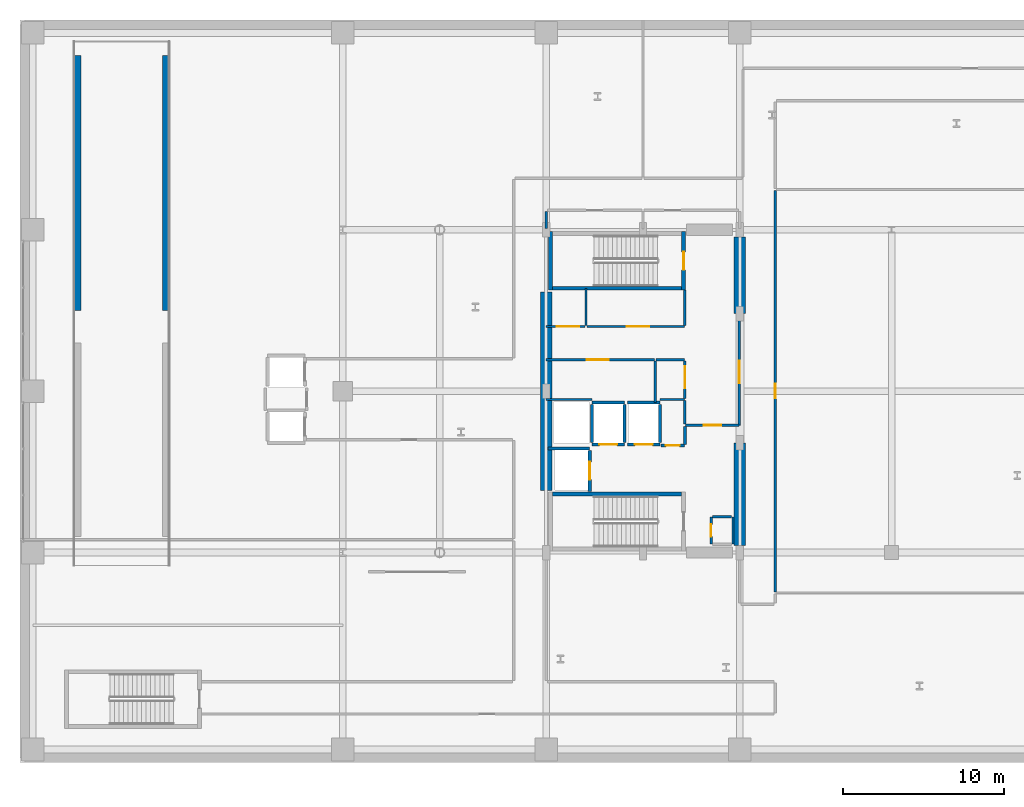
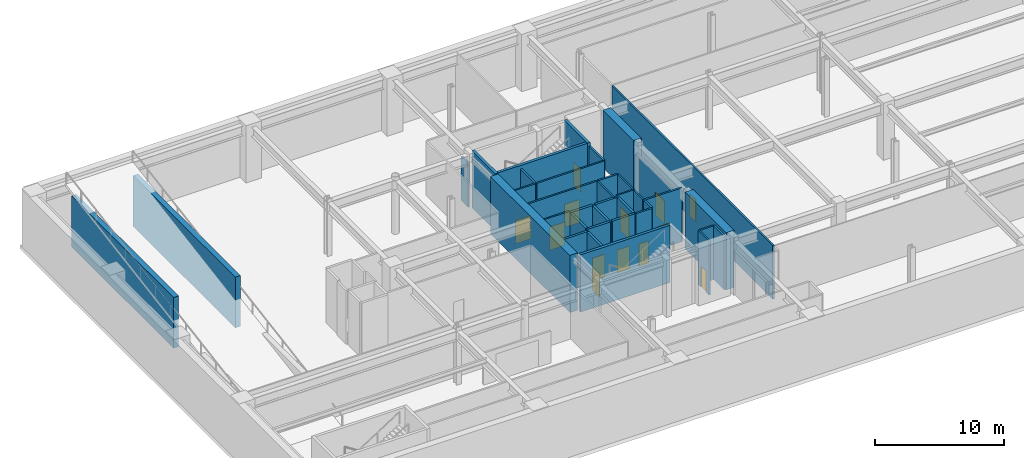
# One storey, part 17 of 25: 38 walls, 13 doors, 13 openings.
"""IFC4 building model written with IfcOpenShell, lengths in metres."""

from ifc_helpers import new_model, si_unit, direction, frame, frame_2d, origin, place, context, subcontext, project, spatial, rectangle, extrude, material, layer, layer_set, type_object, element, fill, save


model = new_model("IFC4")

# Units and contexts
model_context = context("Model", 3, precision=1e-05, world=origin(), true_north=direction((0.0, 1.0)))
body_context = subcontext(model_context, "Body", "Model", "MODEL_VIEW")
ifc_project = project(units=[si_unit("LENGTHUNIT", "METRE"), si_unit("AREAUNIT", "SQUARE_METRE"), si_unit("VOLUMEUNIT", "CUBIC_METRE"), si_unit("PLANEANGLEUNIT", "RADIAN"), si_unit("MASSUNIT", "GRAM", prefix="KILO")], contexts=[model_context])

# Site, building, storey
site_placement = place(None, origin())
site = spatial("IfcSite", under=ifc_project, at=site_placement, CompositionType="ELEMENT")
building_placement = place(site_placement, origin())
building = spatial("IfcBuilding", under=site, at=building_placement, Name="Soratama Intermodal Tower", CompositionType="ELEMENT")
storey_placement = place(building_placement, frame((0.0, 0.0, -5.39990234375)))
storey = spatial("IfcBuildingStorey", under=building, at=storey_placement, Name="B1", CompositionType="ELEMENT", Elevation=-5.39990234375)

# Walls
ifc_material_1 = material(Name="Fire-rated gypsum stud partition", Category="concrete")
ifc_layer_1 = layer(ifc_material_1, 0.14990234375)
ifc_layer_set_1 = layer_set([ifc_layer_1], Name="Fire-rated gypsum stud partition")
wall_type_1 = type_object("IfcWallType", Name="IW-PART-R150", PredefinedType="PARTITIONING", material=ifc_layer_set_1)
wall_1_placement = place(storey_placement, frame((42.89990234375, 17.219970703125, 0.0), z_axis=(0.0, 0.0, 1.0), x_axis=(1.0, 0.0, 0.0)))
element("IfcWall", 1, at=wall_1_placement, inside=storey, type_object=wall_type_1, Name="B1 Riser Wall N", PredefinedType="PARTITIONING", context=body_context, shape_type="SweptSolid", body=[
    extrude(rectangle(XDim=1.2001953125, YDim=0.14990234375, at=frame_2d((0.60009765625, 0.0))), origin(), (0.0, 0.0, 1.0), 5.079833984375),
])
wall_2_placement = place(storey_placement, frame((44.179931640625, 15.52001953125, 0.0), z_axis=(0.0, 0.0, 1.0), x_axis=(0.0, 1.0, 0.0)))
element("IfcWall", 2, at=wall_2_placement, inside=storey, type_object=wall_type_1, Name="B1 Riser Wall E", PredefinedType="PARTITIONING", context=body_context, shape_type="SweptSolid", body=[
    extrude(rectangle(XDim=1.699951171875, YDim=0.14990234375, at=frame_2d((0.85009765625, 0.0))), origin(), (0.0, 0.0, 1.0), 5.079833984375),
])

# Wall, opening, door
wall_3_placement = place(storey_placement, frame((42.820068359375, 15.52001953125, 0.0), z_axis=(0.0, 0.0, 1.0), x_axis=(0.0, 1.0, 0.0)))
wall_3 = element("IfcWall", 3, at=wall_3_placement, inside=storey, type_object=wall_type_1, Name="B1 Riser Front Wall", PredefinedType="PARTITIONING", context=body_context, shape_type="SweptSolid", body=[
    extrude(rectangle(XDim=1.699951171875, YDim=0.14990234375, at=frame_2d((0.85009765625, 0.0))), origin(), (0.0, 0.0, 1.0), 5.079833984375),
])
opening_1_placement = place(wall_3_placement, frame((0.469970703125, 0.0, 0.0)))
opening_1 = element("IfcOpeningElement", 4, at=opening_1_placement, cuts=wall_3, Name="Opening TD-1", PredefinedType="OPENING", context=body_context, shape_type="SweptSolid", body=[
    extrude(rectangle(XDim=0.760009765625, YDim=2.0, at=frame_2d((0.3798828125, 1.0))), frame((0.0, 0.0849609375, 0.0), z_axis=(0.0, -1.0, 0.0), x_axis=(1.0, 0.0, 0.0)), (0.0, 0.0, 1.0), 0.169921875),
])
ifc_material_2 = material(Name="Steel fire door", Category="steel")
door_type_1 = type_object("IfcDoorType", Name="DR-RISER-TRAP", OperationType="NOTDEFINED", PredefinedType="TRAPDOOR", material=ifc_material_2)
door_1_placement = place(opening_1_placement, origin())
door_1 = element("IfcDoor", 5, at=door_1_placement, inside=storey, type_object=door_type_1, Name="B1 Riser Inspection Door", OperationType="SINGLE_SWING_LEFT", OverallHeight=2.0, OverallWidth=0.760009765625, PredefinedType="TRAPDOOR", context=body_context, shape_type="SweptSolid", body=[
    extrude(rectangle(XDim=0.760009765625, YDim=2.0, at=frame_2d((0.3798828125, 1.0))), frame((0.0, 0.02490234375, 0.0), z_axis=(0.0, -1.0, 0.0), x_axis=(1.0, 0.0, 0.0)), (0.0, 0.0, 1.0), 0.050048828125),
])
fill(opening_1, door_1)

wall_4_placement = place(storey_placement, frame((46.800048828125, 37.429931640625, 0.0), z_axis=(0.0, 0.0, 1.0), x_axis=(0.0, -1.0, 0.0)))
wall_4 = element("IfcWall", 6, at=wall_4_placement, inside=storey, type_object=wall_type_1, Name="B1 Partition W-B1-TP007", PredefinedType="PARTITIONING", context=body_context, shape_type="SweptSolid", body=[
    extrude(rectangle(XDim=24.85986328125, YDim=0.14990234375, at=frame_2d((12.429931640625, 0.0))), origin(), (0.0, 0.0, 1.0), 5.079833984375),
])
opening_2_placement = place(wall_4_placement, frame((11.955078125, 0.0, 0.0)))
opening_2 = element("IfcOpeningElement", 7, at=opening_2_placement, cuts=wall_4, Name="Opening ID-6", PredefinedType="OPENING", context=body_context, shape_type="SweptSolid", body=[
    extrude(rectangle(XDim=0.919921875, YDim=2.1201171875, at=frame_2d((0.4599609375, 1.06005859375))), frame((0.0, 0.0849609375, 0.0), z_axis=(0.0, -1.0, 0.0), x_axis=(1.0, 0.0, 0.0)), (0.0, 0.0, 1.0), 0.169921875),
])
ifc_material_3 = material(Name="Solid hardwood acoustic door", Category="wood")
door_type_2 = type_object("IfcDoorType", Name="DR-ROOM-920", OperationType="NOTDEFINED", PredefinedType="DOOR", material=ifc_material_3)
door_2_placement = place(opening_2_placement, origin())
door_2 = element("IfcDoor", 8, at=door_2_placement, inside=storey, type_object=door_type_2, Name="B1 Door D-B1-TP003", OperationType="SINGLE_SWING_RIGHT", OverallHeight=2.1201171875, OverallWidth=0.919921875, PredefinedType="DOOR", context=body_context, shape_type="SweptSolid", body=[
    extrude(rectangle(XDim=0.919921875, YDim=2.1201171875, at=frame_2d((0.4599609375, 1.06005859375))), frame((0.0, 0.02490234375, 0.0), z_axis=(0.0, -1.0, 0.0), x_axis=(1.0, 0.0, 0.0)), (0.0, 0.0, 1.0), 0.050048828125),
])
fill(opening_2, door_2)

wall_5_placement = place(storey_placement, frame((44.56005859375, 29.800048828125, 0.0), z_axis=(0.0, 0.0, 1.0), x_axis=(0.0, -1.0, 0.0)))
wall_5 = element("IfcWall", 9, at=wall_5_placement, inside=storey, type_object=wall_type_1, Name="B1 Partition W-B1-TP017", PredefinedType="PARTITIONING", context=body_context, shape_type="SweptSolid", body=[
    extrude(rectangle(XDim=6.91015625, YDim=0.14990234375, at=frame_2d((3.455078125, 0.0))), origin(), (0.0, 0.0, 1.0), 4.119873046875),
])
opening_3_placement = place(wall_5_placement, frame((2.9150390625, 0.0, 0.0)))
opening_3 = element("IfcOpeningElement", 10, at=opening_3_placement, cuts=wall_5, Name="Opening ID-2", PredefinedType="OPENING", context=body_context, shape_type="SweptSolid", body=[
    extrude(rectangle(XDim=1.3798828125, YDim=2.199951171875, at=frame_2d((0.68994140625, 1.10009765625))), frame((0.0, 0.0849609375, 0.0), z_axis=(0.0, -1.0, 0.0), x_axis=(1.0, 0.0, 0.0)), (0.0, 0.0, 1.0), 0.169921875),
])
ifc_material_4 = material(Name="Solid hardwood acoustic door", Category="wood")
door_type_3 = type_object("IfcDoorType", Name="DR-POD-1400", OperationType="NOTDEFINED", PredefinedType="DOOR", material=ifc_material_4)
door_3_placement = place(opening_3_placement, origin())
door_3 = element("IfcDoor", 11, at=door_3_placement, inside=storey, type_object=door_type_3, Name="B1 Door D-B1-TP005", OperationType="SINGLE_SWING_RIGHT", OverallHeight=2.199951171875, OverallWidth=1.3798828125, PredefinedType="DOOR", context=body_context, shape_type="SweptSolid", body=[
    extrude(rectangle(XDim=1.3798828125, YDim=2.199951171875, at=frame_2d((0.68994140625, 1.10009765625))), frame((0.0, 0.02490234375, 0.0), z_axis=(0.0, -1.0, 0.0), x_axis=(1.0, 0.0, 0.0)), (0.0, 0.0, 1.0), 0.050048828125),
])
fill(opening_3, door_3)

wall_6_placement = place(storey_placement, frame((39.300048828125, 26.93994140625, 0.0), z_axis=(0.0, 0.0, 1.0), x_axis=(-1.0, 0.0, 0.0)))
wall_6 = element("IfcWall", 12, at=wall_6_placement, inside=storey, type_object=wall_type_1, Name="B1 Partition W-B1-TP018", PredefinedType="PARTITIONING", context=body_context, shape_type="SweptSolid", body=[
    extrude(rectangle(XDim=6.699951171875, YDim=0.14990234375, at=frame_2d((3.35009765625, 0.0))), origin(), (0.0, 0.0, 1.0), 5.079833984375),
])
opening_4_placement = place(wall_6_placement, frame((2.81005859375, 0.0, 0.0)))
opening_4 = element("IfcOpeningElement", 13, at=opening_4_placement, cuts=wall_6, Name="Opening ID-2", PredefinedType="OPENING", context=body_context, shape_type="SweptSolid", body=[
    extrude(rectangle(XDim=1.3798828125, YDim=2.199951171875, at=frame_2d((0.68994140625, 1.10009765625))), frame((0.0, 0.0849609375, 0.0), z_axis=(0.0, -1.0, 0.0), x_axis=(1.0, 0.0, 0.0)), (0.0, 0.0, 1.0), 0.169921875),
])
door_4_placement = place(opening_4_placement, origin())
door_4 = element("IfcDoor", 14, at=door_4_placement, inside=storey, type_object=door_type_3, Name="B1 Door D-B1-TP006", OperationType="SINGLE_SWING_LEFT", OverallHeight=2.199951171875, OverallWidth=1.3798828125, PredefinedType="DOOR", context=body_context, shape_type="SweptSolid", body=[
    extrude(rectangle(XDim=1.3798828125, YDim=2.199951171875, at=frame_2d((0.68994140625, 1.10009765625))), frame((0.0, 0.02490234375, 0.0), z_axis=(0.0, -1.0, 0.0), x_axis=(1.0, 0.0, 0.0)), (0.0, 0.0, 1.0), 0.050048828125),
])
fill(opening_4, door_4)

wall_7_placement = place(storey_placement, frame((35.1201171875, 29.010009765625, 0.0), z_axis=(0.0, 0.0, 1.0), x_axis=(1.0, 0.0, 0.0)))
wall_7 = element("IfcWall", 15, at=wall_7_placement, inside=storey, type_object=wall_type_1, Name="B1 Partition W-B1-TP022", PredefinedType="PARTITIONING", context=body_context, shape_type="SweptSolid", body=[
    extrude(rectangle(XDim=6.039794921875, YDim=0.14990234375, at=frame_2d((3.02001953125, 0.0))), origin(), (0.0, 0.0, 1.0), 5.079833984375),
])
opening_5_placement = place(wall_7_placement, frame((2.47998046875, 0.0, 0.0)))
opening_5 = element("IfcOpeningElement", 16, at=opening_5_placement, cuts=wall_7, Name="Opening ID-2", PredefinedType="OPENING", context=body_context, shape_type="SweptSolid", body=[
    extrude(rectangle(XDim=1.3798828125, YDim=2.199951171875, at=frame_2d((0.68994140625, 1.10009765625))), frame((0.0, 0.0849609375, 0.0), z_axis=(0.0, -1.0, 0.0), x_axis=(1.0, 0.0, 0.0)), (0.0, 0.0, 1.0), 0.169921875),
])
door_5_placement = place(opening_5_placement, origin())
door_5 = element("IfcDoor", 17, at=door_5_placement, inside=storey, type_object=door_type_3, Name="B1 Door D-B1-TP007", OperationType="SINGLE_SWING_RIGHT", OverallHeight=2.199951171875, OverallWidth=1.3798828125, PredefinedType="DOOR", context=body_context, shape_type="SweptSolid", body=[
    extrude(rectangle(XDim=1.3798828125, YDim=2.199951171875, at=frame_2d((0.68994140625, 1.10009765625))), frame((0.0, 0.02490234375, 0.0), z_axis=(0.0, -1.0, 0.0), x_axis=(1.0, 0.0, 0.0)), (0.0, 0.0, 1.0), 0.050048828125),
])
fill(opening_5, door_5)

# Walls
wall_8_placement = place(storey_placement, frame((35.449951171875, 24.485107421875, 0.0), z_axis=(0.0, 0.0, 1.0), x_axis=(-1.0, 0.0, 0.0)))
element("IfcWall", 18, at=wall_8_placement, inside=storey, type_object=wall_type_1, Name="B1 Partition W-B1-TP028", PredefinedType="PARTITIONING", context=body_context, shape_type="SweptSolid", body=[
    extrude(rectangle(XDim=2.849853515625, YDim=0.14990234375, at=frame_2d((1.4248046875, 0.0))), origin(), (0.0, 0.0, 1.0), 5.079833984375),
])
wall_9_placement = place(storey_placement, frame((39.360107421875, 24.300048828125, 0.0), z_axis=(0.0, 0.0, 1.0), x_axis=(0.0, 1.0, 0.0)))
element("IfcWall", 19, at=wall_9_placement, inside=storey, type_object=wall_type_1, Name="B1 Partition W-B1-TP029", PredefinedType="PARTITIONING", context=body_context, shape_type="SweptSolid", body=[
    extrude(rectangle(XDim=2.579833984375, YDim=0.14990234375, at=frame_2d((1.2900390625, 0.0))), origin(), (0.0, 0.0, 1.0), 5.079833984375),
])

# Wall, opening, door
wall_10_placement = place(storey_placement, frame((32.60009765625, 29.010009765625, 0.0), z_axis=(0.0, 0.0, 1.0), x_axis=(1.0, 0.0, 0.0)))
wall_10 = element("IfcWall", 20, at=wall_10_placement, inside=storey, type_object=wall_type_1, Name="B1 Partition W-B1-TP030", PredefinedType="PARTITIONING", context=body_context, shape_type="SweptSolid", body=[
    extrude(rectangle(XDim=2.419921875, YDim=0.14990234375, at=frame_2d((1.2099609375, 0.0))), origin(), (0.0, 0.0, 1.0), 5.079833984375),
])
opening_6_placement = place(wall_10_placement, frame((0.669921875, 0.0, 0.0)))
opening_6 = element("IfcOpeningElement", 21, at=opening_6_placement, cuts=wall_10, Name="Opening ID-2", PredefinedType="OPENING", context=body_context, shape_type="SweptSolid", body=[
    extrude(rectangle(XDim=1.3798828125, YDim=2.199951171875, at=frame_2d((0.68994140625, 1.10009765625))), frame((0.0, 0.0849609375, 0.0), z_axis=(0.0, -1.0, 0.0), x_axis=(1.0, 0.0, 0.0)), (0.0, 0.0, 1.0), 0.169921875),
])
door_6_placement = place(opening_6_placement, origin())
door_6 = element("IfcDoor", 22, at=door_6_placement, inside=storey, type_object=door_type_3, Name="B1 Door D-B1-TP011", OperationType="SINGLE_SWING_RIGHT", OverallHeight=2.199951171875, OverallWidth=1.3798828125, PredefinedType="DOOR", context=body_context, shape_type="SweptSolid", body=[
    extrude(rectangle(XDim=1.3798828125, YDim=2.199951171875, at=frame_2d((0.68994140625, 1.10009765625))), frame((0.0, 0.02490234375, 0.0), z_axis=(0.0, -1.0, 0.0), x_axis=(1.0, 0.0, 0.0)), (0.0, 0.0, 1.0), 0.050048828125),
])
fill(opening_6, door_6)

wall_11_placement = place(storey_placement, frame((41.199951171875, 24.550048828125, 0.0), z_axis=(0.0, 0.0, 1.0), x_axis=(0.0, 1.0, 0.0)))
wall_11 = element("IfcWall", 23, at=wall_11_placement, inside=storey, type_object=wall_type_1, Name="B1 Partition W-B1-TP031", PredefinedType="PARTITIONING", context=body_context, shape_type="SweptSolid", body=[
    extrude(rectangle(XDim=2.329833984375, YDim=0.14990234375, at=frame_2d((1.1650390625, 0.0))), origin(), (0.0, 0.0, 1.0), 5.079833984375),
])
opening_7_placement = place(wall_11_placement, frame((0.625, 0.0, 0.0)))
opening_7 = element("IfcOpeningElement", 24, at=opening_7_placement, cuts=wall_11, Name="Opening ID-2", PredefinedType="OPENING", context=body_context, shape_type="SweptSolid", body=[
    extrude(rectangle(XDim=1.3798828125, YDim=2.199951171875, at=frame_2d((0.68994140625, 1.10009765625))), frame((0.0, 0.0849609375, 0.0), z_axis=(0.0, -1.0, 0.0), x_axis=(1.0, 0.0, 0.0)), (0.0, 0.0, 1.0), 0.169921875),
])
door_7_placement = place(opening_7_placement, origin())
door_7 = element("IfcDoor", 25, at=door_7_placement, inside=storey, type_object=door_type_3, Name="B1 Door D-B1-TP012", OperationType="SINGLE_SWING_LEFT", OverallHeight=2.199951171875, OverallWidth=1.3798828125, PredefinedType="DOOR", context=body_context, shape_type="SweptSolid", body=[
    extrude(rectangle(XDim=1.3798828125, YDim=2.199951171875, at=frame_2d((0.68994140625, 1.10009765625))), frame((0.0, 0.02490234375, 0.0), z_axis=(0.0, -1.0, 0.0), x_axis=(1.0, 0.0, 0.0)), (0.0, 0.0, 1.0), 0.050048828125),
])
fill(opening_7, door_7)

# Walls
wall_12_placement = place(storey_placement, frame((35.070068359375, 29.070068359375, 0.0), z_axis=(0.0, 0.0, 1.0), x_axis=(0.0, 1.0, 0.0)))
element("IfcWall", 26, at=wall_12_placement, inside=storey, type_object=wall_type_1, Name="B1 Partition W-B1-TP032", PredefinedType="PARTITIONING", context=body_context, shape_type="SweptSolid", body=[
    extrude(rectangle(XDim=2.2900390625, YDim=0.14990234375, at=frame_2d((1.14501953125, 0.0))), origin(), (0.0, 0.0, 1.0), 5.079833984375),
])
wall_13_placement = place(storey_placement, frame((41.199951171875, 29.070068359375, 0.0), z_axis=(0.0, 0.0, 1.0), x_axis=(0.0, 1.0, 0.0)))
element("IfcWall", 27, at=wall_13_placement, inside=storey, type_object=wall_type_1, Name="B1 Partition W-B1-TP033", PredefinedType="PARTITIONING", context=body_context, shape_type="SweptSolid", body=[
    extrude(rectangle(XDim=2.18994140625, YDim=0.14990234375, at=frame_2d((1.094970703125, 0.0))), origin(), (0.0, 0.0, 1.0), 5.079833984375),
])
wall_14_placement = place(storey_placement, frame((41.159912109375, 26.93994140625, 0.0), z_axis=(0.0, 0.0, 1.0), x_axis=(-1.0, 0.0, 0.0)))
element("IfcWall", 28, at=wall_14_placement, inside=storey, type_object=wall_type_1, Name="B1 Partition W-B1-TP036", PredefinedType="PARTITIONING", context=body_context, shape_type="SweptSolid", body=[
    extrude(rectangle(XDim=1.739990234375, YDim=0.14990234375, at=frame_2d((0.8701171875, 0.0))), origin(), (0.0, 0.0, 1.0), 5.079833984375),
])
wall_15_placement = place(storey_placement, frame((39.64990234375, 24.485107421875, 0.0), z_axis=(0.0, 0.0, 1.0), x_axis=(1.0, 0.0, 0.0)))
element("IfcWall", 29, at=wall_15_placement, inside=storey, type_object=wall_type_1, Name="B1 Partition W-B1-TP037", PredefinedType="PARTITIONING", context=body_context, shape_type="SweptSolid", body=[
    extrude(rectangle(XDim=1.510009765625, YDim=0.14990234375, at=frame_2d((0.7548828125, 0.0))), origin(), (0.0, 0.0, 1.0), 5.079833984375),
])
wall_16_placement = place(storey_placement, frame((41.199951171875, 22.9599609375, 0.0), z_axis=(0.0, 0.0, 1.0), x_axis=(0.0, 1.0, 0.0)))
element("IfcWall", 30, at=wall_16_placement, inside=storey, type_object=wall_type_1, Name="B1 Partition W-B1-TP038", PredefinedType="PARTITIONING", context=body_context, shape_type="SweptSolid", body=[
    extrude(rectangle(XDim=1.4599609375, YDim=0.14990234375, at=frame_2d((0.72998046875, 0.0))), origin(), (0.0, 0.0, 1.0), 5.079833984375),
])
wall_17_placement = place(storey_placement, frame((32.60009765625, 36.1298828125, 0.0), z_axis=(0.0, 0.0, 1.0), x_axis=(0.0, -1.0, 0.0)))
element("IfcWall", 31, at=wall_17_placement, inside=storey, type_object=wall_type_1, Name="B1 Partition W-B1-TP043", PredefinedType="PARTITIONING", context=body_context, shape_type="SweptSolid", body=[
    extrude(rectangle(XDim=1.059814453125, YDim=0.14990234375, at=frame_2d((0.52978515625, 0.0))), origin(), (0.0, 0.0, 1.0), 4.201904296875),
])

# Wall, opening, door
ifc_material_5 = material(Name="Fire-rated gypsum stud partition", Category="concrete")
ifc_layer_2 = layer(ifc_material_5, 0.169921875)
ifc_layer_set_2 = layer_set([ifc_layer_2], Name="Fire-rated gypsum stud partition")
wall_type_2 = type_object("IfcWallType", Name="IW-PART-R170", PredefinedType="PARTITIONING", material=ifc_layer_set_2)
wall_18_placement = place(storey_placement, frame((41.239990234375, 22.889892578125, 0.0), z_axis=(0.0, 0.0, 1.0), x_axis=(1.0, 0.0, 0.0)))
wall_18 = element("IfcWall", 32, at=wall_18_placement, inside=storey, type_object=wall_type_2, Name="B1 Partition W-B1-TP026", PredefinedType="PARTITIONING", context=body_context, shape_type="SweptSolid", body=[
    extrude(rectangle(XDim=3.320068359375, YDim=0.169921875, at=frame_2d((1.66015625, 0.0))), origin(), (0.0, 0.0, 1.0), 5.079833984375),
])
opening_8_placement = place(wall_18_placement, frame((1.1201171875, 0.0, 0.0)))
opening_8 = element("IfcOpeningElement", 33, at=opening_8_placement, cuts=wall_18, Name="Opening ID-0", PredefinedType="OPENING", context=body_context, shape_type="SweptSolid", body=[
    extrude(rectangle(XDim=1.080078125, YDim=2.14990234375, at=frame_2d((0.5400390625, 1.074951171875))), frame((0.0, 0.094970703125, 0.0), z_axis=(0.0, -1.0, 0.0), x_axis=(1.0, 0.0, 0.0)), (0.0, 0.0, 1.0), 0.18994140625),
])
ifc_material_6 = material(Name="Solid hardwood acoustic door", Category="wood")
door_type_4 = type_object("IfcDoorType", Name="DR-LOB-FD90", OperationType="NOTDEFINED", PredefinedType="DOOR", material=ifc_material_6)
door_8_placement = place(opening_8_placement, origin())
door_8 = element("IfcDoor", 34, at=door_8_placement, inside=storey, type_object=door_type_4, Name="B1 Door D-B1-TP010", OperationType="SINGLE_SWING_LEFT", OverallHeight=2.14990234375, OverallWidth=1.080078125, PredefinedType="DOOR", context=body_context, shape_type="SweptSolid", body=[
    extrude(rectangle(XDim=1.080078125, YDim=2.14990234375, at=frame_2d((0.5400390625, 1.074951171875))), frame((0.0, 0.02490234375, 0.0), z_axis=(0.0, -1.0, 0.0), x_axis=(1.0, 0.0, 0.0)), (0.0, 0.0, 1.0), 0.050048828125),
])
fill(opening_8, door_8)

wall_19_placement = place(storey_placement, frame((39.719970703125, 21.639892578125, 0.0), z_axis=(0.0, 0.0, 1.0), x_axis=(1.0, 0.0, 0.0)))
wall_19 = element("IfcWall", 35, at=wall_19_placement, inside=storey, type_object=wall_type_2, Name="B1 Partition W-B1-TP039", PredefinedType="PARTITIONING", context=body_context, shape_type="SweptSolid", body=[
    extrude(rectangle(XDim=1.43994140625, YDim=0.169921875, at=frame_2d((0.719970703125, 0.0))), origin(), (0.0, 0.0, 1.0), 5.079833984375),
])
opening_9_placement = place(wall_19_placement, frame((0.294921875, 0.0, 0.0)))
opening_9 = element("IfcOpeningElement", 36, at=opening_9_placement, cuts=wall_19, Name="Opening ID-4", PredefinedType="OPENING", context=body_context, shape_type="SweptSolid", body=[
    extrude(rectangle(XDim=0.85009765625, YDim=2.10009765625, at=frame_2d((0.425048828125, 1.050048828125))), frame((0.0, 0.094970703125, 0.0), z_axis=(0.0, -1.0, 0.0), x_axis=(1.0, 0.0, 0.0)), (0.0, 0.0, 1.0), 0.18994140625),
])
ifc_material_7 = material(Name="Solid hardwood acoustic door", Category="wood")
door_type_5 = type_object("IfcDoorType", Name="DR-BATH-850", OperationType="NOTDEFINED", PredefinedType="DOOR", material=ifc_material_7)
door_9_placement = place(opening_9_placement, origin())
door_9 = element("IfcDoor", 37, at=door_9_placement, inside=storey, type_object=door_type_5, Name="B1 Door D-B1-TP013", OperationType="SINGLE_SWING_RIGHT", OverallHeight=2.10009765625, OverallWidth=0.85009765625, PredefinedType="DOOR", context=body_context, shape_type="SweptSolid", body=[
    extrude(rectangle(XDim=0.85009765625, YDim=2.10009765625, at=frame_2d((0.425048828125, 1.050048828125))), frame((0.0, 0.02490234375, 0.0), z_axis=(0.0, -1.0, 0.0), x_axis=(1.0, 0.0, 0.0)), (0.0, 0.0, 1.0), 0.050048828125),
])
fill(opening_9, door_9)

# Wall
wall_20_placement = place(storey_placement, frame((41.199951171875, 21.699951171875, 0.0), z_axis=(0.0, 0.0, 1.0), x_axis=(0.0, 1.0, 0.0)))
element("IfcWall", 38, at=wall_20_placement, inside=storey, type_object=wall_type_2, Name="B1 Partition W-B1-TP042", PredefinedType="PARTITIONING", context=body_context, shape_type="SweptSolid", body=[
    extrude(rectangle(XDim=1.1201171875, YDim=0.169921875, at=frame_2d((0.56005859375, 0.0))), origin(), (0.0, 0.0, 1.0), 5.079833984375),
])

# Wall, opening, door
ifc_material_8 = material(Name="Concrete f'c 42 MPa", Category="concrete")
ifc_layer_3 = layer(ifc_material_8, 0.199951171875)
ifc_layer_set_3 = layer_set([ifc_layer_3], Name="Concrete f'c 42 MPa")
wall_type_3 = type_object("IfcWallType", Name="IW-SHAFT-200", PredefinedType="SOLIDWALL", material=ifc_layer_set_3)
wall_21_placement = place(storey_placement, frame((35.449951171875, 21.699951171875, 0.0), z_axis=(0.0, 0.0, 1.0), x_axis=(1.0, 0.0, 0.0)))
wall_21 = element("IfcWall", 39, at=wall_21_placement, inside=storey, type_object=wall_type_3, Name="B1 FFL-1 Hoistway Wall S", PredefinedType="SOLIDWALL", context=body_context, shape_type="SweptSolid", body=[
    extrude(rectangle(XDim=2.0, YDim=0.199951171875, at=frame_2d((1.0, 0.0))), origin(), (0.0, 0.0, 1.0), 5.079833984375),
])
opening_10_placement = place(wall_21_placement, frame((0.449951171875, 0.0, 0.0)))
opening_10 = element("IfcOpeningElement", 40, at=opening_10_placement, cuts=wall_21, Name="Opening LD-1", PredefinedType="OPENING", context=body_context, shape_type="SweptSolid", body=[
    extrude(rectangle(XDim=1.10009765625, YDim=2.14990234375, at=frame_2d((0.550048828125, 1.074951171875))), frame((0.0, 0.10986328125, 0.0), z_axis=(0.0, -1.0, 0.0), x_axis=(1.0, 0.0, 0.0)), (0.0, 0.0, 1.0), 0.219970703125),
])
ifc_material_9 = material(Name="Steel fire door", Category="steel")
door_type_6 = type_object("IfcDoorType", Name="DR-LIFT-SLIDE", OperationType="NOTDEFINED", PredefinedType="DOOR", material=ifc_material_9)
door_10_placement = place(opening_10_placement, origin())
door_10 = element("IfcDoor", 41, at=door_10_placement, inside=storey, type_object=door_type_6, Name="B1 FFL-1 Sliding Landing Door", OperationType="SLIDING_TO_LEFT", OverallHeight=2.14990234375, OverallWidth=1.10009765625, PredefinedType="DOOR", context=body_context, shape_type="SweptSolid", body=[
    extrude(rectangle(XDim=1.10009765625, YDim=2.14990234375, at=frame_2d((0.550048828125, 1.074951171875))), frame((0.0, 0.02490234375, 0.0), z_axis=(0.0, -1.0, 0.0), x_axis=(1.0, 0.0, 0.0)), (0.0, 0.0, 1.0), 0.050048828125),
])
fill(opening_10, door_10)

# Walls
wall_22_placement = place(storey_placement, frame((35.449951171875, 24.300048828125, 0.0), z_axis=(0.0, 0.0, 1.0), x_axis=(1.0, 0.0, 0.0)))
element("IfcWall", 42, at=wall_22_placement, inside=storey, type_object=wall_type_3, Name="B1 FFL-1 Hoistway Wall N", PredefinedType="SOLIDWALL", context=body_context, shape_type="SweptSolid", body=[
    extrude(rectangle(XDim=2.0, YDim=0.199951171875, at=frame_2d((1.0, 0.0))), origin(), (0.0, 0.0, 1.0), 5.079833984375),
])
for number, where, z_axis, x_axis, name in (
    (43, (35.449951171875, 21.81005859375, 0.0), (0.0, 0.0, 1.0), (0.0, 1.0, 0.0), "B1 FFL-1 Hoistway Wall W"),
    (44, (37.449951171875, 21.81005859375, 0.0), (0.0, 0.0, 1.0), (0.0, 1.0, 0.0), "B1 FFL-1 Hoistway Wall E"),
):
    element("IfcWall", number, at=place(storey_placement, frame(where, z_axis=z_axis, x_axis=x_axis)), inside=storey, type_object=wall_type_3, Name=name, PredefinedType="SOLIDWALL", context=body_context, shape_type="SweptSolid", body=[
        extrude(rectangle(XDim=2.3798828125, YDim=0.199951171875, at=frame_2d((1.18994140625, 0.0))), origin(), (0.0, 0.0, 1.0), 5.079833984375),
    ])

# Wall, opening, door
wall_23_placement = place(storey_placement, frame((37.64990234375, 21.699951171875, 0.0), z_axis=(0.0, 0.0, 1.0), x_axis=(1.0, 0.0, 0.0)))
wall_23 = element("IfcWall", 45, at=wall_23_placement, inside=storey, type_object=wall_type_3, Name="B1 FFL-2 Hoistway Wall S", PredefinedType="SOLIDWALL", context=body_context, shape_type="SweptSolid", body=[
    extrude(rectangle(XDim=2.0, YDim=0.199951171875, at=frame_2d((1.0, 0.0))), origin(), (0.0, 0.0, 1.0), 5.079833984375),
])
opening_11_placement = place(wall_23_placement, frame((0.449951171875, 0.0, 0.0)))
opening_11 = element("IfcOpeningElement", 46, at=opening_11_placement, cuts=wall_23, Name="Opening LD-1", PredefinedType="OPENING", context=body_context, shape_type="SweptSolid", body=[
    extrude(rectangle(XDim=1.10009765625, YDim=2.14990234375, at=frame_2d((0.550048828125, 1.074951171875))), frame((0.0, 0.10986328125, 0.0), z_axis=(0.0, -1.0, 0.0), x_axis=(1.0, 0.0, 0.0)), (0.0, 0.0, 1.0), 0.219970703125),
])
door_11_placement = place(opening_11_placement, origin())
door_11 = element("IfcDoor", 47, at=door_11_placement, inside=storey, type_object=door_type_6, Name="B1 FFL-2 Sliding Landing Door", OperationType="SLIDING_TO_LEFT", OverallHeight=2.14990234375, OverallWidth=1.10009765625, PredefinedType="DOOR", context=body_context, shape_type="SweptSolid", body=[
    extrude(rectangle(XDim=1.10009765625, YDim=2.14990234375, at=frame_2d((0.550048828125, 1.074951171875))), frame((0.0, 0.02490234375, 0.0), z_axis=(0.0, -1.0, 0.0), x_axis=(1.0, 0.0, 0.0)), (0.0, 0.0, 1.0), 0.050048828125),
])
fill(opening_11, door_11)

# Walls
wall_24_placement = place(storey_placement, frame((37.64990234375, 24.300048828125, 0.0), z_axis=(0.0, 0.0, 1.0), x_axis=(1.0, 0.0, 0.0)))
element("IfcWall", 48, at=wall_24_placement, inside=storey, type_object=wall_type_3, Name="B1 FFL-2 Hoistway Wall N", PredefinedType="SOLIDWALL", context=body_context, shape_type="SweptSolid", body=[
    extrude(rectangle(XDim=2.0, YDim=0.199951171875, at=frame_2d((1.0, 0.0))), origin(), (0.0, 0.0, 1.0), 5.079833984375),
])
wall_25_placement = place(storey_placement, frame((39.64990234375, 21.81005859375, 0.0), z_axis=(0.0, 0.0, 1.0), x_axis=(0.0, 1.0, 0.0)))
element("IfcWall", 49, at=wall_25_placement, inside=storey, type_object=wall_type_3, Name="B1 FFL-2 Hoistway Wall E", PredefinedType="SOLIDWALL", context=body_context, shape_type="SweptSolid", body=[
    extrude(rectangle(XDim=2.3798828125, YDim=0.199951171875, at=frame_2d((1.18994140625, 0.0))), origin(), (0.0, 0.0, 1.0), 5.079833984375),
])
wall_26_placement = place(storey_placement, frame((32.719970703125, 21.449951171875, 0.0), z_axis=(0.0, 0.0, 1.0), x_axis=(1.0, 0.0, 0.0)))
element("IfcWall", 50, at=wall_26_placement, inside=storey, type_object=wall_type_3, Name="B1 SVL-1 Hoistway Wall N", PredefinedType="SOLIDWALL", context=body_context, shape_type="SweptSolid", body=[
    extrude(rectangle(XDim=2.580078125, YDim=0.199951171875, at=frame_2d((1.2900390625, 0.0))), origin(), (0.0, 0.0, 1.0), 5.079833984375),
])

# Wall, opening, door
wall_27_placement = place(storey_placement, frame((35.300048828125, 18.7900390625, 0.0), z_axis=(0.0, 0.0, 1.0), x_axis=(0.0, 1.0, 0.0)))
wall_27 = element("IfcWall", 51, at=wall_27_placement, inside=storey, type_object=wall_type_3, Name="B1 SVL-1 Hoistway Wall E", PredefinedType="SOLIDWALL", context=body_context, shape_type="SweptSolid", body=[
    extrude(rectangle(XDim=2.550048828125, YDim=0.199951171875, at=frame_2d((1.27490234375, 0.0))), origin(), (0.0, 0.0, 1.0), 5.079833984375),
])
opening_12_placement = place(wall_27_placement, frame((0.72509765625, 0.0, 0.0)))
opening_12 = element("IfcOpeningElement", 52, at=opening_12_placement, cuts=wall_27, Name="Opening LD-1", PredefinedType="OPENING", context=body_context, shape_type="SweptSolid", body=[
    extrude(rectangle(XDim=1.10009765625, YDim=2.14990234375, at=frame_2d((0.550048828125, 1.074951171875))), frame((0.0, 0.10986328125, 0.0), z_axis=(0.0, -1.0, 0.0), x_axis=(1.0, 0.0, 0.0)), (0.0, 0.0, 1.0), 0.219970703125),
])
door_12_placement = place(opening_12_placement, origin())
door_12 = element("IfcDoor", 53, at=door_12_placement, inside=storey, type_object=door_type_6, Name="B1 SVL-1 Sliding Landing Door", OperationType="SLIDING_TO_LEFT", OverallHeight=2.14990234375, OverallWidth=1.10009765625, PredefinedType="DOOR", context=body_context, shape_type="SweptSolid", body=[
    extrude(rectangle(XDim=1.10009765625, YDim=2.14990234375, at=frame_2d((0.550048828125, 1.074951171875))), frame((0.0, 0.02490234375, 0.0), z_axis=(0.0, -1.0, 0.0), x_axis=(1.0, 0.0, 0.0)), (0.0, 0.0, 1.0), 0.050048828125),
])
fill(opening_12, door_12)

# Walls
ifc_material_10 = material(Name="Concrete f'c 56 MPa", Category="concrete")
ifc_layer_4 = layer(ifc_material_10, 0.449951171875)
ifc_layer_set_4 = layer_set([ifc_layer_4], Name="Concrete f'c 56 MPa")
wall_type_4 = type_object("IfcWallType", Name="SW-CORE-450", PredefinedType="SHEAR", material=ifc_layer_set_4)
for number, where, z_axis, x_axis, name in (
    (54, (3.550048828125, 30.0, 0.0), (0.0, 0.0, 1.0), (0.0, 1.0, 0.0), "B1 Vehicle Ramp Upper Cheek Wall W"),
    (55, (9.050048828125, 30.0, 0.0), (0.0, 0.0, 1.0), (0.0, 1.0, 0.0), "B1 Vehicle Ramp Upper Cheek Wall E"),
):
    element("IfcWall", number, at=place(storey_placement, frame(where, z_axis=z_axis, x_axis=x_axis)), inside=storey, type_object=wall_type_4, Name=name, PredefinedType="SHEAR", context=body_context, shape_type="SweptSolid", body=[
        extrude(rectangle(XDim=15.800048828125, YDim=0.449951171875, at=frame_2d((7.89990234375, 0.0))), origin(), (0.0, 0.0, 1.0), 4.7998046875),
    ])
ifc_material_11 = material(Name="Concrete f'c 56 MPa", Category="concrete")
ifc_layer_5 = layer(ifc_material_11, 0.699951171875)
ifc_layer_set_5 = layer_set([ifc_layer_5], Name="Concrete f'c 56 MPa")
wall_type_5 = type_object("IfcWallType", Name="SW-CORE-700", PredefinedType="SHEAR", material=ifc_layer_set_5)
wall_28_placement = place(storey_placement, frame((32.60009765625, 18.85009765625, 0.0), z_axis=(0.0, 0.0, 1.0), x_axis=(0.0, 1.0, 0.0)))
element("IfcWall", 56, at=wall_28_placement, inside=storey, type_object=wall_type_5, Name="B1 Core Shear Wall CW-WMID", PredefinedType="SHEAR", context=body_context, shape_type="SweptSolid", body=[
    extrude(rectangle(XDim=12.2998046875, YDim=0.699951171875, at=frame_2d((6.14990234375, 0.0))), origin(), (0.0, 0.0, 1.0), 5.39990234375),
])
wall_29_placement = place(storey_placement, frame((44.60009765625, 15.449951171875, 0.0), z_axis=(0.0, 0.0, 1.0), x_axis=(0.0, 1.0, 0.0)))
element("IfcWall", 57, at=wall_29_placement, inside=storey, type_object=wall_type_5, Name="B1 Core Shear Wall CW-ES", PredefinedType="SHEAR", context=body_context, shape_type="SweptSolid", body=[
    extrude(rectangle(XDim=6.35009765625, YDim=0.699951171875, at=frame_2d((3.175048828125, 0.0))), origin(), (0.0, 0.0, 1.0), 5.39990234375),
])
wall_30_placement = place(storey_placement, frame((44.60009765625, 29.800048828125, 0.0), z_axis=(0.0, 0.0, 1.0), x_axis=(0.0, 1.0, 0.0)))
element("IfcWall", 58, at=wall_30_placement, inside=storey, type_object=wall_type_5, Name="B1 Core Shear Wall CW-EN", PredefinedType="SHEAR", context=body_context, shape_type="SweptSolid", body=[
    extrude(rectangle(XDim=4.75, YDim=0.699951171875, at=frame_2d((2.375, 0.0))), origin(), (0.0, 0.0, 1.0), 5.39990234375),
])
ifc_material_12 = material(Name="Concrete f'c 56 MPa", Category="concrete")
ifc_layer_6 = layer(ifc_material_12, 0.239990234375)
ifc_layer_set_6 = layer_set([ifc_layer_6], Name="Concrete f'c 56 MPa")
wall_type_6 = type_object("IfcWallType", Name="SW-STAIR-240", PredefinedType="SHEAR", material=ifc_layer_set_6)
wall_31_placement = place(storey_placement, frame((33.0, 18.6201171875, 0.0), z_axis=(0.0, 0.0, 1.0), x_axis=(1.0, 0.0, 0.0)))
element("IfcWall", 59, at=wall_31_placement, inside=storey, type_object=wall_type_6, Name="B1 ST-1 Shaft Shear Wall N", PredefinedType="SHEAR", context=body_context, shape_type="SweptSolid", body=[
    extrude(rectangle(XDim=8.0, YDim=0.239990234375, at=frame_2d((4.0, 0.0))), origin(), (0.0, 0.0, 1.0), 5.39990234375),
])
wall_32_placement = place(storey_placement, frame((32.8798828125, 31.260009765625, 0.0), z_axis=(0.0, 0.0, 1.0), x_axis=(0.0, 1.0, 0.0)))
element("IfcWall", 60, at=wall_32_placement, inside=storey, type_object=wall_type_6, Name="B1 ST-2 Shaft Shear Wall W", PredefinedType="SHEAR", context=body_context, shape_type="SweptSolid", body=[
    extrude(rectangle(XDim=3.6298828125, YDim=0.239990234375, at=frame_2d((1.81494140625, 0.0))), origin(), (0.0, 0.0, 1.0), 5.39990234375),
])

# Wall, opening, door
wall_33_placement = place(storey_placement, frame((41.1201171875, 31.260009765625, 0.0), z_axis=(0.0, 0.0, 1.0), x_axis=(0.0, 1.0, 0.0)))
wall_33 = element("IfcWall", 61, at=wall_33_placement, inside=storey, type_object=wall_type_6, Name="B1 ST-2 Shaft Shear Wall E", PredefinedType="SHEAR", context=body_context, shape_type="SweptSolid", body=[
    extrude(rectangle(XDim=3.6298828125, YDim=0.239990234375, at=frame_2d((1.81494140625, 0.0))), origin(), (0.0, 0.0, 1.0), 5.39990234375),
])
opening_13_placement = place(wall_33_placement, frame((1.2548828125, 0.0, 0.0)))
opening_13 = element("IfcOpeningElement", 62, at=opening_13_placement, cuts=wall_33, Name="Opening SD-1", PredefinedType="OPENING", context=body_context, shape_type="SweptSolid", body=[
    extrude(rectangle(XDim=1.1201171875, YDim=2.14990234375, at=frame_2d((0.56005859375, 1.074951171875))), frame((0.0, 0.1298828125, 0.0), z_axis=(0.0, -1.0, 0.0), x_axis=(1.0, 0.0, 0.0)), (0.0, 0.0, 1.0), 0.260009765625),
])
ifc_material_13 = material(Name="Steel fire door", Category="steel")
door_type_7 = type_object("IfcDoorType", Name="DR-STAIR-FD90", OperationType="NOTDEFINED", PredefinedType="DOOR", material=ifc_material_13)
door_13_placement = place(opening_13_placement, origin())
door_13 = element("IfcDoor", 63, at=door_13_placement, inside=storey, type_object=door_type_7, Name="B1 ST-2 Exit Stair Door", OperationType="SINGLE_SWING_RIGHT", OverallHeight=2.14990234375, OverallWidth=1.1201171875, PredefinedType="DOOR", context=body_context, shape_type="SweptSolid", body=[
    extrude(rectangle(XDim=1.1201171875, YDim=2.14990234375, at=frame_2d((0.56005859375, 1.074951171875))), frame((0.0, 0.02490234375, 0.0), z_axis=(0.0, -1.0, 0.0), x_axis=(1.0, 0.0, 0.0)), (0.0, 0.0, 1.0), 0.050048828125),
])
fill(opening_13, door_13)

# Wall
wall_34_placement = place(storey_placement, frame((33.0, 31.3798828125, 0.0), z_axis=(0.0, 0.0, 1.0), x_axis=(1.0, 0.0, 0.0)))
element("IfcWall", 64, at=wall_34_placement, inside=storey, type_object=wall_type_6, Name="B1 ST-2 Shaft Shear Wall S", PredefinedType="SHEAR", context=body_context, shape_type="SweptSolid", body=[
    extrude(rectangle(XDim=8.0, YDim=0.239990234375, at=frame_2d((4.0, 0.0))), origin(), (0.0, 0.0, 1.0), 5.39990234375),
])

save(model, "model.ifc")
